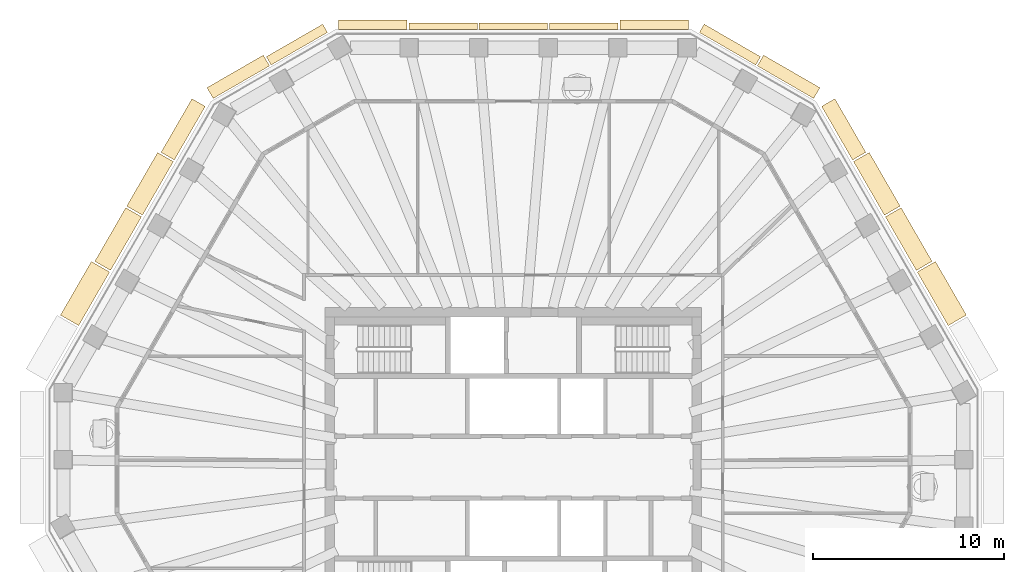
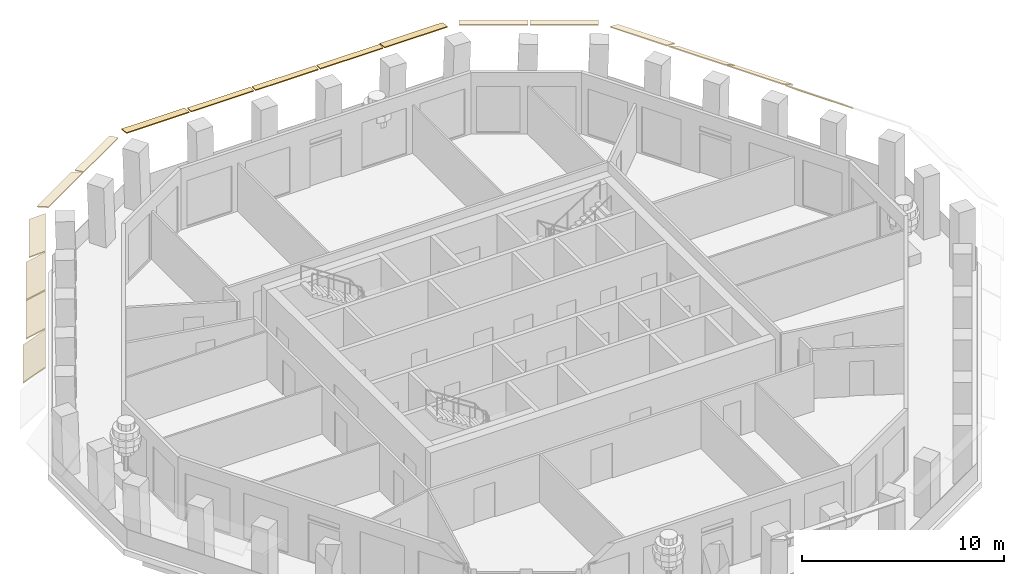
# One storey, part 9 of 11: 17 coverings.
"""IFC4 building model written with IfcOpenShell, lengths in metres."""

from ifc_helpers import new_model, si_unit, direction, frame, origin, place, context, subcontext, project, spatial, polyline, outline, extrude, material, layer, layer_set, type_object, element, save


model = new_model("IFC4")

# Units and contexts
model_context = context("Model", 3, precision=1e-05, world=origin(), true_north=direction((0.0, 1.0)))
body_context = subcontext(model_context, "Body", "Model", "MODEL_VIEW")
ifc_project = project(units=[si_unit("LENGTHUNIT", "METRE"), si_unit("AREAUNIT", "SQUARE_METRE"), si_unit("VOLUMEUNIT", "CUBIC_METRE"), si_unit("PLANEANGLEUNIT", "RADIAN"), si_unit("MASSUNIT", "GRAM", prefix="KILO")], contexts=[model_context])

# Site, building, storey
site_placement = place(None, origin())
site = spatial("IfcSite", under=ifc_project, at=site_placement, CompositionType="ELEMENT")
building_placement = place(site_placement, origin())
building = spatial("IfcBuilding", under=site, at=building_placement, Name="Frailejon Research Tower", CompositionType="ELEMENT")
storey_placement = place(building_placement, frame((0.0, 0.0, 275.0)))
storey = spatial("IfcBuildingStorey", under=building, at=storey_placement, Name="L60", CompositionType="ELEMENT", Elevation=275.0)

# Coverings
ifc_material_1 = material(Name="Precast concrete C50/60", Category="concrete")
ifc_layer_1 = layer(ifc_material_1, 0.06005859375)
ifc_layer_set_1 = layer_set([ifc_layer_1], Name="Brim blade depth 1100")
covering_type_1 = type_object("IfcCoveringType", Name="Brim blade depth 1100", PredefinedType="CLADDING", material=ifc_layer_set_1)
for number, where, z_axis, x_axis, name in (
    (1, (21.126220703125, 10.2138671875, 3.85009765625), (0.500001861144, -0.86602432925, 0.0), (0.86602432925, 0.500001861144, 0.0), "Brim blade L60"),
    (2, (-22.744140625, 7.41162109375, 3.85009765625), (0.500001861144, 0.86602432925, 0.0), (-0.86602432925, 0.500001861144, 0.0), "Brim blade L60"),
):
    element("IfcCovering", number, at=place(storey_placement, frame(where, z_axis=z_axis, x_axis=x_axis)), inside=storey, type_object=covering_type_1, Name=name, PredefinedType="CLADDING", context=body_context, shape_type="SweptSolid", body=[
        extrude(outline(polyline([(0.0, -0.078369140625), (1.10009765625, -1.001220703125), (1.10009765625, -0.923095703125), (0.0, 0.0), (0.0, -0.078369140625)])), origin(), (0.0, 0.0, 1.0), 3.235595703125),
    ])
ifc_material_2 = material(Name="Precast concrete C50/60", Category="concrete")
ifc_layer_2 = layer(ifc_material_2, 0.06005859375)
ifc_layer_set_2 = layer_set([ifc_layer_2], Name="Brim blade depth 350")
covering_type_2 = type_object("IfcCoveringType", Name="Brim blade depth 350", PredefinedType="CLADDING", material=ifc_layer_set_2)
covering_1_placement = place(storey_placement, frame((1.891845703125, 22.89990234375, 3.85009765625), z_axis=(1.0, 0.0, 0.0), x_axis=(0.0, 1.0, 0.0)))
element("IfcCovering", 3, at=covering_1_placement, inside=storey, type_object=covering_type_2, Name="Brim blade L60", PredefinedType="CLADDING", context=body_context, shape_type="SweptSolid", body=[
    extrude(outline(polyline([(0.0, -0.06005859375), (0.35009765625, -0.06005859375), (0.35009765625, 0.0), (0.0, 0.0), (0.0, -0.06005859375)])), origin(), (0.0, 0.0, 1.0), 3.583984375),
])
covering_2_placement = place(storey_placement, frame((-1.7919921875, 22.89990234375, 3.85009765625), z_axis=(1.0, 0.0, 0.0), x_axis=(0.0, 1.0, 0.0)))
element("IfcCovering", 4, at=covering_2_placement, inside=storey, type_object=covering_type_2, Name="Brim blade L60", PredefinedType="CLADDING", context=body_context, shape_type="SweptSolid", body=[
    extrude(outline(polyline([(0.0, -0.06005859375), (0.35009765625, -0.06005859375), (0.35009765625, 0.0), (0.0, 0.0), (0.0, -0.06005859375)])), origin(), (0.0, 0.0, 1.0), 3.583740234375),
])
covering_3_placement = place(storey_placement, frame((-5.475830078125, 22.89990234375, 3.85009765625), z_axis=(1.0, 0.0, 0.0), x_axis=(0.0, 1.0, 0.0)))
element("IfcCovering", 5, at=covering_3_placement, inside=storey, type_object=covering_type_2, Name="Brim blade L60", PredefinedType="CLADDING", context=body_context, shape_type="SweptSolid", body=[
    extrude(outline(polyline([(0.0, -0.06005859375), (0.35009765625, -0.06005859375), (0.35009765625, 0.0), (0.0, 0.0), (0.0, -0.06005859375)])), origin(), (0.0, 0.0, 1.0), 3.583984375),
])
ifc_material_3 = material(Name="Precast concrete C50/60", Category="concrete")
ifc_layer_3 = layer(ifc_material_3, 0.06005859375)
ifc_layer_set_3 = layer_set([ifc_layer_3], Name="Brim blade depth 500")
covering_type_3 = type_object("IfcCoveringType", Name="Brim blade depth 500", PredefinedType="CLADDING", material=ifc_layer_set_3)
covering_4_placement = place(storey_placement, frame((9.72802734375, 22.747802734375, 3.85009765625), z_axis=(0.866023907216, -0.500002592124, 0.0), x_axis=(0.500002592124, 0.866023907216, 0.0)))
element("IfcCovering", 6, at=covering_4_placement, inside=storey, type_object=covering_type_3, Name="Brim blade L60", PredefinedType="CLADDING", context=body_context, shape_type="SweptSolid", body=[
    extrude(outline(polyline([(0.0, -0.060546875), (0.5, -0.130859375), (0.5, -0.0703125), (0.0, 0.0), (0.0, -0.060546875)])), origin(), (0.0, 0.0, 1.0), 3.402099609375),
])
for number, where, z_axis, x_axis, name in (
    (7, (5.57568359375, 22.89990234375, 3.85009765625), (1.0, 0.0, 0.0), (0.0, 1.0, 0.0), "Brim blade L60"),
    (8, (-9.15966796875, 22.89990234375, 3.85009765625), (1.0, 0.0, 0.0), (0.0, 1.0, 0.0), "Brim blade L60"),
):
    element("IfcCovering", number, at=place(storey_placement, frame(where, z_axis=z_axis, x_axis=x_axis)), inside=storey, type_object=covering_type_3, Name=name, PredefinedType="CLADDING", context=body_context, shape_type="SweptSolid", body=[
        extrude(outline(polyline([(0.0, -0.060546875), (0.5, -0.130859375), (0.5, -0.0703125), (0.0, 0.0), (0.0, -0.060546875)])), origin(), (0.0, 0.0, 1.0), 3.583984375),
    ])
covering_5_placement = place(storey_placement, frame((-12.67431640625, 21.046630859375, 3.85009765625), z_axis=(0.866023907216, 0.500002592124, 0.0), x_axis=(-0.500002592124, 0.866023907216, 0.0)))
element("IfcCovering", 9, at=covering_5_placement, inside=storey, type_object=covering_type_3, Name="Brim blade L60", PredefinedType="CLADDING", context=body_context, shape_type="SweptSolid", body=[
    extrude(outline(polyline([(0.0, -0.060546875), (0.5, -0.130859375), (0.5, -0.0703125), (0.0, 0.0), (0.0, -0.060546875)])), origin(), (0.0, 0.0, 1.0), 3.402099609375),
])
ifc_material_4 = material(Name="Precast concrete C50/60", Category="concrete")
ifc_layer_4 = layer(ifc_material_4, 0.06005859375)
ifc_layer_set_4 = layer_set([ifc_layer_4], Name="Brim blade depth 650")
covering_type_4 = type_object("IfcCoveringType", Name="Brim blade depth 650", PredefinedType="CLADDING", material=ifc_layer_set_4)
for number, where, z_axis, x_axis, name in (
    (10, (12.7607421875, 20.99658203125, 3.85009765625), (0.866023907216, -0.500002592124, 0.0), (0.500002592124, 0.866023907216, 0.0), "Brim blade L60"),
    (11, (-15.70703125, 19.295654296875, 3.85009765625), (0.866023907216, 0.500002592124, 0.0), (-0.500002592124, 0.866023907216, 0.0), "Brim blade L60"),
):
    element("IfcCovering", number, at=place(storey_placement, frame(where, z_axis=z_axis, x_axis=x_axis)), inside=storey, type_object=covering_type_4, Name=name, PredefinedType="CLADDING", context=body_context, shape_type="SweptSolid", body=[
        extrude(outline(polyline([(0.0, -0.0625), (0.64990234375, -0.248779296875), (0.64990234375, -0.186279296875), (0.0, 0.0), (0.0, -0.0625)])), origin(), (0.0, 0.0, 1.0), 3.402099609375),
    ])
ifc_material_5 = material(Name="Precast concrete C50/60", Category="concrete")
ifc_layer_5 = layer(ifc_material_5, 0.06005859375)
ifc_layer_set_5 = layer_set([ifc_layer_5], Name="Brim blade depth 800")
covering_type_5 = type_object("IfcCoveringType", Name="Brim blade depth 800", PredefinedType="CLADDING", material=ifc_layer_set_5)
for number, where, z_axis, x_axis, name in (
    (12, (16.123046875, 18.879638671875, 3.85009765625), (0.500014843002, -0.866016834004, 0.0), (0.866016834004, 0.500014843002, 0.0), "Brim blade L60"),
    (13, (-17.74072265625, 16.07763671875, 3.85009765625), (0.500014843002, 0.866016834004, 0.0), (-0.866016834004, 0.500014843002, 0.0), "Brim blade L60"),
):
    element("IfcCovering", number, at=place(storey_placement, frame(where, z_axis=z_axis, x_axis=x_axis)), inside=storey, type_object=covering_type_5, Name=name, PredefinedType="CLADDING", context=body_context, shape_type="SweptSolid", body=[
        extrude(outline(polyline([(0.0, -0.065673828125), (0.800048828125, -0.421875), (0.800048828125, -0.356201171875), (0.0, 0.0), (0.0, -0.065673828125)])), origin(), (0.0, 0.0, 1.0), 3.235595703125),
    ])
ifc_material_6 = material(Name="Precast concrete C50/60", Category="concrete")
ifc_layer_6 = layer(ifc_material_6, 0.06005859375)
ifc_layer_set_6 = layer_set([ifc_layer_6], Name="Brim blade depth 950")
covering_type_6 = type_object("IfcCoveringType", Name="Brim blade depth 950", PredefinedType="CLADDING", material=ifc_layer_set_6)
for number, where, z_axis, x_axis, name in (
    (14, (19.45849609375, 13.102294921875, 3.85009765625), (0.500014843002, -0.866016834004, 0.0), (0.866016834004, 0.500014843002, 0.0), "Brim blade L60"),
    (15, (17.790771484375, 15.9912109375, 3.85009765625), (0.499979375883, -0.866037310797, 0.0), (0.866037310797, 0.499979375883, 0.0), "Brim blade L60"),
    (16, (-19.408447265625, 13.18896484375, 3.85009765625), (0.499979375883, 0.866037310797, 0.0), (-0.866037310797, 0.499979375883, 0.0), "Brim blade L60"),
    (17, (-21.076416015625, 10.30029296875, 3.85009765625), (0.500014843002, 0.866016834004, 0.0), (-0.866016834004, 0.500014843002, 0.0), "Brim blade L60"),
):
    element("IfcCovering", number, at=place(storey_placement, frame(where, z_axis=z_axis, x_axis=x_axis)), inside=storey, type_object=covering_type_6, Name=name, PredefinedType="CLADDING", context=body_context, shape_type="SweptSolid", body=[
        extrude(outline(polyline([(0.0, -0.07080078125), (0.949951171875, -0.664306640625), (0.949951171875, -0.593505859375), (0.0, 0.0), (0.0, -0.07080078125)])), origin(), (0.0, 0.0, 1.0), 3.235595703125),
    ])

save(model, "model.ifc")
